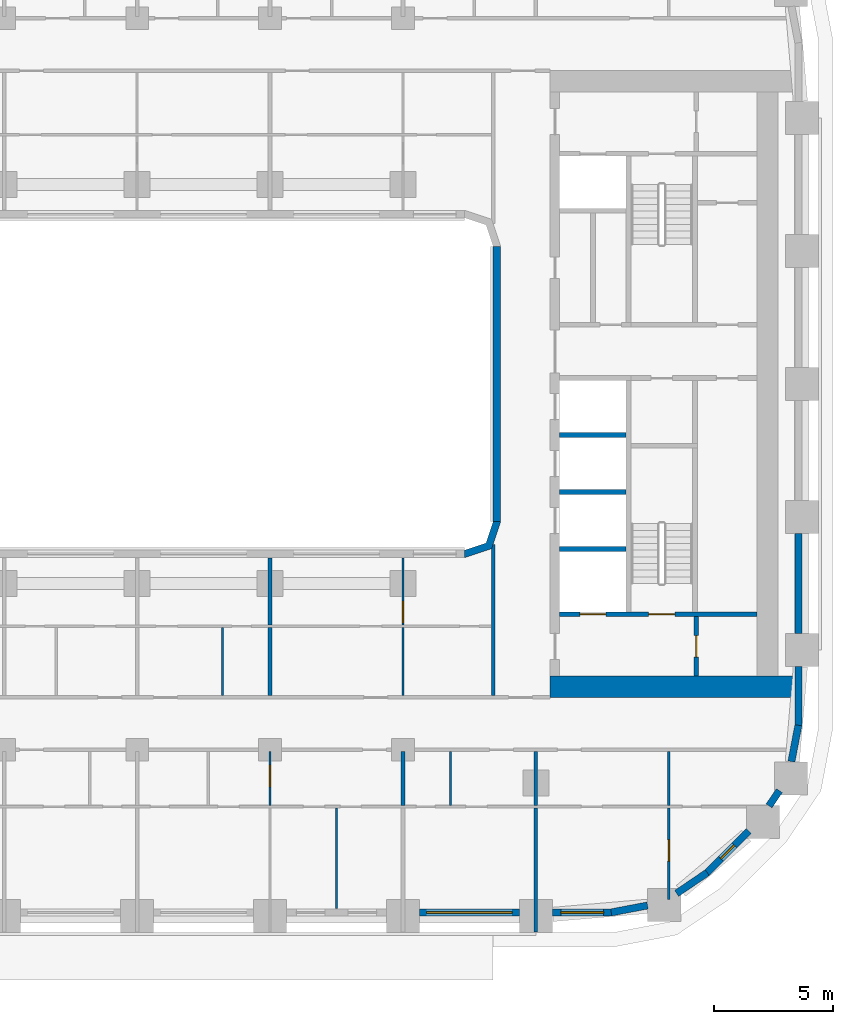
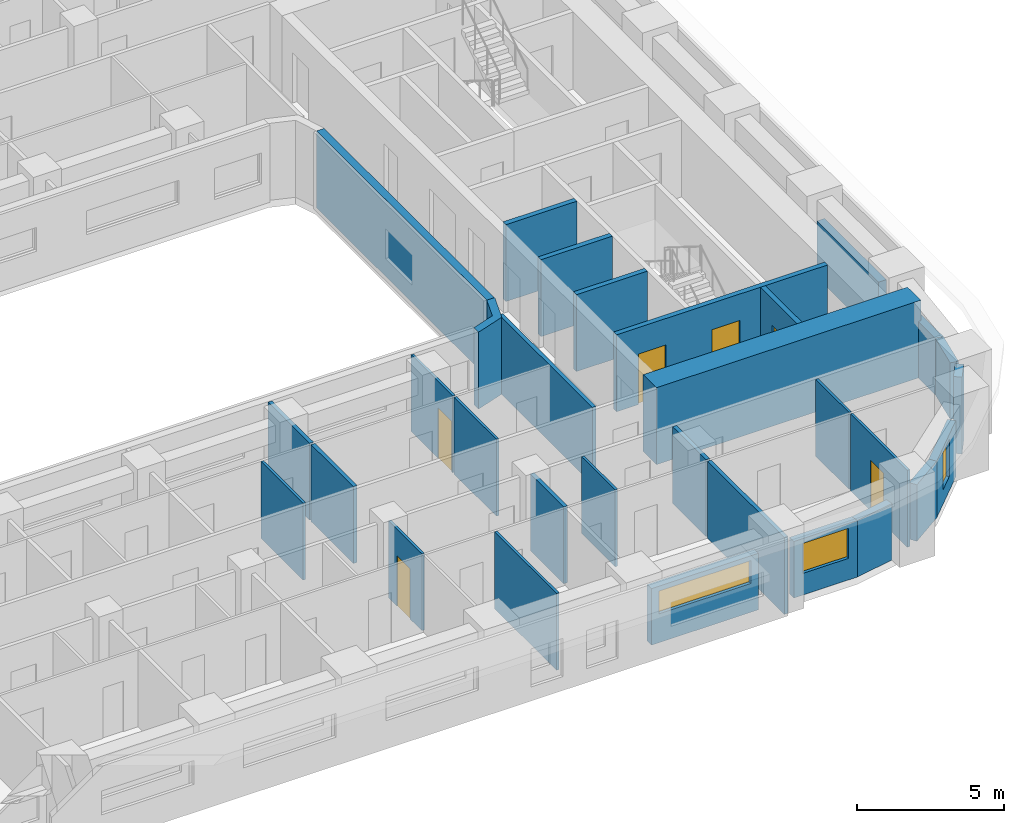
# One storey, part 6 of 22: 31 walls, 6 doors, 3 windows, 9 openings.
"""IFC4 building model written with IfcOpenShell, lengths in metres."""

from ifc_helpers import new_model, si_unit, direction, frame, frame_2d, origin, place, context, subcontext, project, spatial, polyline, rectangle, outline, extrude, material, layer, layer_set, type_object, element, fill, save


model = new_model("IFC4")

# Units and contexts
model_context = context("Model", 3, precision=1e-05, world=origin(), true_north=direction((0.0, 1.0)))
body_context = subcontext(model_context, "Body", "Model", "MODEL_VIEW")
ifc_project = project(units=[si_unit("LENGTHUNIT", "METRE"), si_unit("AREAUNIT", "SQUARE_METRE"), si_unit("VOLUMEUNIT", "CUBIC_METRE"), si_unit("PLANEANGLEUNIT", "RADIAN"), si_unit("MASSUNIT", "GRAM", prefix="KILO")], contexts=[model_context])

# Site, building, storey
site_placement = place(None, origin())
site = spatial("IfcSite", under=ifc_project, at=site_placement, CompositionType="ELEMENT")
building_placement = place(site_placement, origin())
building = spatial("IfcBuilding", under=site, at=building_placement, Name="Kiln Ring Residences", CompositionType="ELEMENT")
storey_placement = place(building_placement, frame((0.0, 0.0, 65.5)))
storey = spatial("IfcBuildingStorey", under=building, at=storey_placement, Name="L16", CompositionType="ELEMENT", Elevation=65.5)

# Wall, opening, door
ifc_material_1 = material(Name="Gypsum board on steel studs", Category="steel")
ifc_layer_1 = layer(ifc_material_1, 0.199951171875)
ifc_layer_set_1 = layer_set([ifc_layer_1], Name="CORE-PARTITION-200")
wall_type_1 = type_object("IfcWallType", Name="CORE-PARTITION-200", PredefinedType="PARTITIONING", material=ifc_layer_set_1)
wall_1_placement = place(storey_placement, frame((23.550048828125, -12.300048828125, 0.0), z_axis=(0.0, 0.0, 1.0), x_axis=(0.0, 1.0, 0.0)))
wall_1 = element("IfcWall", 1, at=wall_1_placement, inside=storey, type_object=wall_type_1, Name="Core partition east L16 5", PredefinedType="PARTITIONING", context=body_context, shape_type="SweptSolid", body=[
    extrude(rectangle(XDim=2.5, YDim=0.199951171875, at=frame_2d((1.25, 0.0))), origin(), (0.0, 0.0, 1.0), 3.199951171875),
])
opening_1_placement = place(wall_1_placement, frame((0.800048828125, 0.0, 0.0)))
opening_1 = element("IfcOpeningElement", 2, at=opening_1_placement, cuts=wall_1, Name="Opening L16-CE11", PredefinedType="OPENING", context=body_context, shape_type="SweptSolid", body=[
    extrude(rectangle(XDim=0.89990234375, YDim=2.10009765625, at=frame_2d((0.449951171875, 1.050048828125))), frame((0.0, 0.10986328125, 0.0), z_axis=(0.0, -1.0, 0.0), x_axis=(1.0, 0.0, 0.0)), (0.0, 0.0, 1.0), 0.219970703125),
])
ifc_material_2 = material(Name="Steel door leaf", Category="steel")
door_type_1 = type_object("IfcDoorType", Name="CORE-DOOR-ROOM", OperationType="SINGLE_SWING_LEFT", PredefinedType="DOOR", material=ifc_material_2)
door_1_placement = place(opening_1_placement, origin())
door_1 = element("IfcDoor", 3, at=door_1_placement, inside=storey, type_object=door_type_1, Name="Store L16-CE11", OperationType="SINGLE_SWING_RIGHT", OverallHeight=2.10009765625, OverallWidth=0.89990234375, PredefinedType="DOOR", context=body_context, shape_type="SweptSolid", body=[
    extrude(rectangle(XDim=0.89990234375, YDim=2.10009765625, at=frame_2d((0.449951171875, 1.050048828125))), frame((0.0, 0.02490234375, 0.0), z_axis=(0.0, -1.0, 0.0), x_axis=(1.0, 0.0, 0.0)), (0.0, 0.0, 1.0), 0.050048828125),
])
fill(opening_1, door_1)

# Walls
ifc_material_3 = material(Name="Gypsum shaft wall system")
ifc_layer_2 = layer(ifc_material_3, 0.199951171875)
ifc_layer_set_2 = layer_set([ifc_layer_2], Name="CORE-SHAFT-WALL-200")
wall_type_2 = type_object("IfcWallType", Name="CORE-SHAFT-WALL-200", PredefinedType="PARTITIONING", material=ifc_layer_set_2)
for number, where, z_axis, x_axis, name in (
    (4, (17.800048828125, -6.949951171875, 0.0), (0.0, 0.0, 1.0), (1.0, 0.0, 0.0), "Core partition east L16 7"),
    (5, (17.800048828125, -4.550048828125, 0.0), (0.0, 0.0, 1.0), (1.0, 0.0, 0.0), "Core partition east L16 8"),
    (6, (17.800048828125, -2.14990234375, 0.0), (0.0, 0.0, 1.0), (1.0, 0.0, 0.0), "Core partition east L16 9"),
):
    element("IfcWall", number, at=place(storey_placement, frame(where, z_axis=z_axis, x_axis=x_axis)), inside=storey, type_object=wall_type_2, Name=name, PredefinedType="PARTITIONING", context=body_context, shape_type="SweptSolid", body=[
        extrude(rectangle(XDim=2.800048828125, YDim=0.199951171875, at=frame_2d((1.39990234375, 0.0))), origin(), (0.0, 0.0, 1.0), 3.199951171875),
    ])

# Wall, openings, doors
ifc_material_4 = material(Name="Concrete C40/50", Category="concrete")
ifc_layer_3 = layer(ifc_material_4, 0.199951171875)
ifc_layer_set_3 = layer_set([ifc_layer_3], Name="CORE-WALL-RC200")
wall_type_3 = type_object("IfcWallType", Name="CORE-WALL-RC200", PredefinedType="SHEAR", material=ifc_layer_set_3)
wall_2_placement = place(storey_placement, frame((17.800048828125, -9.699951171875, 0.0), z_axis=(0.0, 0.0, 1.0), x_axis=(1.0, 0.0, 0.0)))
wall_2 = element("IfcWall", 7, at=wall_2_placement, inside=storey, type_object=wall_type_3, Name="Core wall east L16 8", PredefinedType="SHEAR", context=body_context, shape_type="SweptSolid", body=[
    extrude(rectangle(XDim=8.300048828125, YDim=0.199951171875, at=frame_2d((4.14990234375, 0.0))), origin(), (0.0, 0.0, 1.0), 3.199951171875),
])
opening_2_placement = place(wall_2_placement, frame((0.85009765625, 0.0, 0.0)))
opening_2 = element("IfcOpeningElement", 8, at=opening_2_placement, cuts=wall_2, Name="Opening L16-CE01", PredefinedType="OPENING", context=body_context, shape_type="SweptSolid", body=[
    extrude(rectangle(XDim=1.10009765625, YDim=2.10009765625, at=frame_2d((0.550048828125, 1.050048828125))), frame((0.0, 0.10986328125, 0.0), z_axis=(0.0, -1.0, 0.0), x_axis=(1.0, 0.0, 0.0)), (0.0, 0.0, 1.0), 0.219970703125),
])
opening_3_placement = place(wall_2_placement, frame((3.75, 0.0, 0.0)))
opening_3 = element("IfcOpeningElement", 9, at=opening_3_placement, cuts=wall_2, Name="Opening L16-CE13", PredefinedType="OPENING", context=body_context, shape_type="SweptSolid", body=[
    extrude(rectangle(XDim=1.10009765625, YDim=2.10009765625, at=frame_2d((0.550048828125, 1.050048828125))), frame((0.0, 0.10986328125, 0.0), z_axis=(0.0, -1.0, 0.0), x_axis=(1.0, 0.0, 0.0)), (0.0, 0.0, 1.0), 0.219970703125),
])
ifc_material_5 = material(Name="Steel door leaf", Category="steel")
door_type_2 = type_object("IfcDoorType", Name="CORE-DOOR-LD", OperationType="DOUBLE_DOOR_SLIDING", PredefinedType="DOOR", material=ifc_material_5)
door_2_placement = place(opening_2_placement, origin())
door_2 = element("IfcDoor", 10, at=door_2_placement, inside=storey, type_object=door_type_2, Name="LD E-SV L16-CE01", OperationType="DOUBLE_DOOR_SLIDING", OverallHeight=2.10009765625, OverallWidth=1.10009765625, PredefinedType="DOOR", context=body_context, shape_type="SweptSolid", body=[
    extrude(rectangle(XDim=1.10009765625, YDim=2.10009765625, at=frame_2d((0.550048828125, 1.050048828125))), frame((0.0, 0.02490234375, 0.0), z_axis=(0.0, -1.0, 0.0), x_axis=(1.0, 0.0, 0.0)), (0.0, 0.0, 1.0), 0.050048828125),
])
fill(opening_2, door_2)
ifc_material_6 = material(Name="Steel door leaf", Category="steel")
door_type_3 = type_object("IfcDoorType", Name="CORE-DOOR-STAIR", OperationType="SINGLE_SWING_LEFT", PredefinedType="DOOR", material=ifc_material_6)
door_3_placement = place(opening_3_placement, origin())
door_3 = element("IfcDoor", 11, at=door_3_placement, inside=storey, type_object=door_type_3, Name="Stair E-STS L16-CE13", OperationType="SINGLE_SWING_LEFT", OverallHeight=2.10009765625, OverallWidth=1.10009765625, PredefinedType="DOOR", context=body_context, shape_type="SweptSolid", body=[
    extrude(rectangle(XDim=1.10009765625, YDim=2.10009765625, at=frame_2d((0.550048828125, 1.050048828125))), frame((0.0, 0.02490234375, 0.0), z_axis=(0.0, -1.0, 0.0), x_axis=(1.0, 0.0, 0.0)), (0.0, 0.0, 1.0), 0.050048828125),
])
fill(opening_3, door_3)

# Wall
ifc_material_7 = material(Name="Concrete C60/75", Category="concrete")
ifc_layer_4 = layer(ifc_material_7, 0.89990234375)
ifc_layer_set_4 = layer_set([ifc_layer_4], Name="CORE-WALL-RC900")
wall_type_4 = type_object("IfcWallType", Name="CORE-WALL-RC900", PredefinedType="SHEAR", material=ifc_layer_set_4)
wall_3_placement = place(storey_placement, frame((17.39990234375, -12.75, 0.0), z_axis=(0.0, 0.0, 1.0), x_axis=(1.0, 0.0, 0.0)))
element("IfcWall", 12, at=wall_3_placement, inside=storey, type_object=wall_type_4, Name="Core wall east L16 5", PredefinedType="SHEAR", context=body_context, shape_type="SweptSolid", body=[
    extrude(rectangle(XDim=10.400146484375, YDim=0.89990234375, at=frame_2d((5.2001953125, 0.0))), origin(), (0.0, 0.0, 1.0), 3.199951171875),
])

# Wall, opening, window
ifc_material_8 = material(Name="Brick masonry, dark clay brick", Category="masonry")
ifc_layer_5 = layer(ifc_material_8, 0.300048828125)
ifc_layer_set_5 = layer_set([ifc_layer_5], Name="EW-300 BRICK WALL")
wall_type_5 = type_object("IfcWallType", Name="EW-300 BRICK WALL", PredefinedType="SOLIDWALL", material=ifc_layer_set_5)
wall_4_placement = place(storey_placement, frame((11.89990234375, -22.25, 0.0), z_axis=(0.0, 0.0, 1.0), x_axis=(1.0, 0.0, 0.0)))
wall_4 = element("IfcWall", 13, at=wall_4_placement, inside=storey, type_object=wall_type_5, Name="Facade wall L16 10", PredefinedType="SOLIDWALL", context=body_context, shape_type="SweptSolid", body=[
    extrude(rectangle(XDim=4.2001953125, YDim=0.300048828125, at=frame_2d((2.10009765625, 0.0))), origin(), (0.0, 0.0, 1.0), 2.35009765625),
])
opening_4_placement = place(wall_4_placement, frame((0.300048828125, 0.0, 1.199951171875)))
opening_4 = element("IfcOpeningElement", 14, at=opening_4_placement, cuts=wall_4, Name="Opening W4", PredefinedType="OPENING", context=body_context, shape_type="SweptSolid", body=[
    extrude(rectangle(XDim=3.60009765625, YDim=0.949951171875, at=frame_2d((1.800048828125, 0.47509765625))), frame((0.0, 0.159912109375, 0.0), z_axis=(0.0, -1.0, 0.0), x_axis=(1.0, 0.0, 0.0)), (0.0, 0.0, 1.0), 0.320068359375),
])
ifc_material_9 = material(Name="Aluminium frame with double glazing", Category="aluminium")
window_type_1 = type_object("IfcWindowType", Name="WINDOW 3600 x 950", PartitioningType="SINGLE_PANEL", PredefinedType="WINDOW", material=ifc_material_9)
window_1_placement = place(opening_4_placement, origin())
window_1 = element("IfcWindow", 15, at=window_1_placement, inside=storey, type_object=window_type_1, Name="Window L16 9", OverallHeight=0.949951171875, OverallWidth=3.60009765625, PartitioningType="SINGLE_PANEL", PredefinedType="WINDOW", context=body_context, shape_type="SweptSolid", body=[
    extrude(rectangle(XDim=3.60009765625, YDim=0.949951171875, at=frame_2d((1.800048828125, 0.47509765625))), frame((0.0, 0.030029296875, 0.0), z_axis=(0.0, -1.0, 0.0), x_axis=(1.0, 0.0, 0.0)), (0.0, 0.0, 1.0), 0.06005859375),
])
fill(opening_4, window_1)

wall_5_placement = place(storey_placement, frame((17.5, -22.25, 0.0), z_axis=(0.0, 0.0, 1.0), x_axis=(1.0, 0.0, 0.0)))
wall_5 = element("IfcWall", 16, at=wall_5_placement, inside=storey, type_object=wall_type_5, Name="Facade wall L16 11", PredefinedType="SOLIDWALL", context=body_context, shape_type="SweptSolid", body=[
    extrude(rectangle(XDim=2.5, YDim=0.300048828125, at=frame_2d((1.25, 0.0))), origin(), (0.0, 0.0, 1.0), 2.35009765625),
])
opening_5_placement = place(wall_5_placement, frame((0.35009765625, 0.0, 0.89990234375)))
opening_5 = element("IfcOpeningElement", 17, at=opening_5_placement, cuts=wall_5, Name="Opening W2", PredefinedType="OPENING", context=body_context, shape_type="SweptSolid", body=[
    extrude(rectangle(XDim=1.800048828125, YDim=1.25, at=frame_2d((0.89990234375, 0.625))), frame((0.0, 0.159912109375, 0.0), z_axis=(0.0, -1.0, 0.0), x_axis=(1.0, 0.0, 0.0)), (0.0, 0.0, 1.0), 0.320068359375),
])
ifc_material_10 = material(Name="Aluminium frame with double glazing", Category="aluminium")
window_type_2 = type_object("IfcWindowType", Name="WINDOW 1800 x 1250", PartitioningType="SINGLE_PANEL", PredefinedType="WINDOW", material=ifc_material_10)
window_2_placement = place(opening_5_placement, origin())
window_2 = element("IfcWindow", 18, at=window_2_placement, inside=storey, type_object=window_type_2, Name="Window L16 10", OverallHeight=1.25, OverallWidth=1.800048828125, PartitioningType="SINGLE_PANEL", PredefinedType="WINDOW", context=body_context, shape_type="SweptSolid", body=[
    extrude(rectangle(XDim=1.800048828125, YDim=1.25, at=frame_2d((0.89990234375, 0.625))), frame((0.0, 0.030029296875, 0.0), z_axis=(0.0, -1.0, 0.0), x_axis=(1.0, 0.0, 0.0)), (0.0, 0.0, 1.0), 0.06005859375),
])
fill(opening_5, window_2)

# Walls
wall_6_placement = place(storey_placement, frame((19.971923828125, -22.252685546875, 0.0), z_axis=(0.0, 0.0, 1.0), x_axis=(0.982297345734, 0.187328386968, 0.0)))
element("IfcWall", 19, at=wall_6_placement, inside=storey, type_object=wall_type_5, Name="Facade wall L16 12", PredefinedType="SOLIDWALL", context=body_context, shape_type="SweptSolid", body=[
    extrude(rectangle(XDim=1.55615234375, YDim=0.300048828125, at=frame_2d((0.778076171875, 0.0))), origin(), (0.0, 0.0, 1.0), 2.35009765625),
])
wall_7_placement = place(storey_placement, frame((22.725830078125, -21.45361328125, 0.0), z_axis=(0.0, 0.0, 1.0), x_axis=(0.827019875346, 0.562172683241, 0.0)))
element("IfcWall", 20, at=wall_7_placement, inside=storey, type_object=wall_type_5, Name="Facade wall L16 13", PredefinedType="SOLIDWALL", context=body_context, shape_type="SweptSolid", body=[
    extrude(rectangle(XDim=1.555908203125, YDim=0.300048828125, at=frame_2d((0.77783203125, 0.0))), origin(), (0.0, 0.0, 1.0), 2.35009765625),
])

# Wall, opening, window
wall_8_placement = place(storey_placement, frame((23.990966796875, -20.596923828125, 0.0), z_axis=(0.0, 0.0, 1.0), x_axis=(0.707106781187, 0.707106781187, 0.0)))
wall_8 = element("IfcWall", 21, at=wall_8_placement, inside=storey, type_object=wall_type_5, Name="Facade wall L16 14", PredefinedType="SOLIDWALL", context=body_context, shape_type="SweptSolid", body=[
    extrude(rectangle(XDim=2.5, YDim=0.300048828125, at=frame_2d((1.25, 0.0))), origin(), (0.0, 0.0, 1.0), 2.35009765625),
])
opening_6_placement = place(wall_8_placement, frame((0.85009765625, 0.0, 0.60009765625)))
opening_6 = element("IfcOpeningElement", 22, at=opening_6_placement, cuts=wall_8, Name="Opening W5", PredefinedType="OPENING", context=body_context, shape_type="SweptSolid", body=[
    extrude(rectangle(XDim=0.800048828125, YDim=1.550048828125, at=frame_2d((0.39990234375, 0.77490234375))), frame((0.0, 0.159912109375, 0.0), z_axis=(0.0, -1.0, 0.0), x_axis=(1.0, 0.0, 0.0)), (0.0, 0.0, 1.0), 0.320068359375),
])
ifc_material_11 = material(Name="Aluminium frame with double glazing", Category="aluminium")
window_type_3 = type_object("IfcWindowType", Name="WINDOW 800 x 1550", PartitioningType="SINGLE_PANEL", PredefinedType="WINDOW", material=ifc_material_11)
window_3_placement = place(opening_6_placement, origin())
window_3 = element("IfcWindow", 23, at=window_3_placement, inside=storey, type_object=window_type_3, Name="Window L16 11", OverallHeight=1.550048828125, OverallWidth=0.800048828125, PartitioningType="SINGLE_PANEL", PredefinedType="WINDOW", context=body_context, shape_type="SweptSolid", body=[
    extrude(rectangle(XDim=0.800048828125, YDim=1.550048828125, at=frame_2d((0.39990234375, 0.77490234375))), frame((0.0, 0.030029296875, 0.0), z_axis=(0.0, -1.0, 0.0), x_axis=(1.0, 0.0, 0.0)), (0.0, 0.0, 1.0), 0.06005859375),
])
fill(opening_6, window_3)

# Walls
wall_9_placement = place(storey_placement, frame((26.61669921875, -17.7685546875, 0.0), z_axis=(0.0, 0.0, 1.0), x_axis=(0.562000651531, 0.827136788977, 0.0)))
element("IfcWall", 24, at=wall_9_placement, inside=storey, type_object=wall_type_5, Name="Facade wall L16 15", PredefinedType="SOLIDWALL", context=body_context, shape_type="SweptSolid", body=[
    extrude(rectangle(XDim=0.777099609375, YDim=0.300048828125, at=frame_2d((0.388671875, 0.0))), origin(), (0.0, 0.0, 1.0), 3.199951171875),
])
wall_10_placement = place(storey_placement, frame((27.56103515625, -15.900390625, 0.0), z_axis=(0.0, 0.0, 1.0), x_axis=(0.187328386968, 0.982297345734, 0.0)))
element("IfcWall", 25, at=wall_10_placement, inside=storey, type_object=wall_type_5, Name="Facade wall L16 16", PredefinedType="SOLIDWALL", context=body_context, shape_type="SweptSolid", body=[
    extrude(rectangle(XDim=1.55615234375, YDim=0.300048828125, at=frame_2d((0.778076171875, 0.0))), origin(), (0.0, 0.0, 1.0), 2.35009765625),
])
wall_11_placement = place(storey_placement, frame((27.85009765625, -14.39990234375, 0.0), z_axis=(0.0, 0.0, 1.0), x_axis=(0.0, 1.0, 0.0)))
element("IfcWall", 26, at=wall_11_placement, inside=storey, type_object=wall_type_5, Name="Facade wall L16 17", PredefinedType="SOLIDWALL", context=body_context, shape_type="SweptSolid", body=[
    extrude(rectangle(XDim=2.5, YDim=0.300048828125, at=frame_2d((1.25, 0.0))), origin(), (0.0, 0.0, 1.0), 2.35009765625),
])
wall_12_placement = place(storey_placement, frame((27.85009765625, -10.5, 0.0), z_axis=(0.0, 0.0, 1.0), x_axis=(0.0, 1.0, 0.0)))
element("IfcWall", 27, at=wall_12_placement, inside=storey, type_object=wall_type_5, Name="Facade wall L16 18", PredefinedType="SOLIDWALL", context=body_context, shape_type="SweptSolid", body=[
    extrude(rectangle(XDim=4.199951171875, YDim=0.300048828125, at=frame_2d((2.10009765625, 0.0))), origin(), (0.0, 0.0, 1.0), 2.35009765625),
])
wall_13_placement = place(storey_placement, frame((15.14990234375, 5.800048828125, 0.0), z_axis=(0.0, 0.0, 1.0), x_axis=(0.0, -1.0, 0.0)))
element("IfcWall", 28, at=wall_13_placement, inside=storey, type_object=wall_type_5, Name="Facade wall L16 51", PredefinedType="SOLIDWALL", context=body_context, shape_type="SweptSolid", body=[
    extrude(rectangle(XDim=11.60009765625, YDim=0.300048828125, at=frame_2d((5.800048828125, 0.0))), origin(), (0.0, 0.0, 1.0), 3.199951171875),
])
wall_14_placement = place(storey_placement, origin())
element("IfcWall", 29, at=wall_14_placement, inside=storey, type_object=wall_type_5, Name="Corner wall L16 3", PredefinedType="SOLIDWALL", context=body_context, shape_type="SweptSolid", body=[
    extrude(outline(polyline([(14.937255859375, -6.937255859375), (15.300048828125, -5.8486328125), (15.300048828125, -5.800048828125), (15.0, -5.800048828125), (14.699951171875, -6.699951171875), (13.800048828125, -7.0), (13.800048828125, -7.300048828125), (13.8486328125, -7.300048828125), (14.937255859375, -6.937255859375)])), origin(), (0.0, 0.0, 1.0), 3.199951171875),
])
ifc_material_12 = material(Name="Gypsum board on steel studs", Category="steel")
ifc_layer_6 = layer(ifc_material_12, 0.10009765625)
ifc_layer_set_6 = layer_set([ifc_layer_6], Name="PARTITION-100")
wall_type_6 = type_object("IfcWallType", Name="PARTITION-100", PredefinedType="PARTITIONING", material=ifc_layer_set_6)
wall_15_placement = place(storey_placement, frame((3.60009765625, -13.125, 0.0), z_axis=(0.0, 0.0, 1.0), x_axis=(0.0, 1.0, 0.0)))
element("IfcWall", 30, at=wall_15_placement, inside=storey, type_object=wall_type_6, Name="Partition 051", PredefinedType="PARTITIONING", context=body_context, shape_type="SweptSolid", body=[
    extrude(rectangle(XDim=2.875, YDim=0.10009765625, at=frame_2d((1.4375, 0.0))), origin(), (0.0, 0.0, 1.0), 3.199951171875),
])

# Wall, opening, door
wall_16_placement = place(storey_placement, frame((5.60009765625, -17.75, 0.0), z_axis=(0.0, 0.0, 1.0), x_axis=(0.0, 1.0, 0.0)))
wall_16 = element("IfcWall", 31, at=wall_16_placement, inside=storey, type_object=wall_type_6, Name="Partition 053", PredefinedType="PARTITIONING", context=body_context, shape_type="SweptSolid", body=[
    extrude(rectangle(XDim=2.27490234375, YDim=0.10009765625, at=frame_2d((1.137451171875, 0.0))), origin(), (0.0, 0.0, 1.0), 3.199951171875),
])
opening_7_placement = place(wall_16_placement, frame((0.799072265625, 0.0, 0.0)))
opening_7 = element("IfcOpeningElement", 32, at=opening_7_placement, cuts=wall_16, Name="Opening L16-D071", PredefinedType="OPENING", context=body_context, shape_type="SweptSolid", body=[
    extrude(rectangle(XDim=0.89990234375, YDim=2.10009765625, at=frame_2d((0.449951171875, 1.050048828125))), frame((0.0, 0.06005859375, 0.0), z_axis=(0.0, -1.0, 0.0), x_axis=(1.0, 0.0, 0.0)), (0.0, 0.0, 1.0), 0.1201171875),
])
ifc_material_13 = material(Name="Timber door leaf", Category="wood")
door_type_4 = type_object("IfcDoorType", Name="FLAT-DOOR-900-PL", OperationType="SINGLE_SWING_LEFT", PredefinedType="DOOR", material=ifc_material_13)
door_4_placement = place(opening_7_placement, origin())
door_4 = element("IfcDoor", 33, at=door_4_placement, inside=storey, type_object=door_type_4, Name="Door L16-D071", OperationType="SINGLE_SWING_LEFT", OverallHeight=2.10009765625, OverallWidth=0.89990234375, PredefinedType="DOOR", context=body_context, shape_type="SweptSolid", body=[
    extrude(rectangle(XDim=0.89990234375, YDim=2.10009765625, at=frame_2d((0.449951171875, 1.050048828125))), frame((0.0, 0.02490234375, 0.0), z_axis=(0.0, -1.0, 0.0), x_axis=(1.0, 0.0, 0.0)), (0.0, 0.0, 1.0), 0.050048828125),
])
fill(opening_7, door_4)

# Walls
wall_17_placement = place(storey_placement, frame((8.39990234375, -22.080078125, 0.0), z_axis=(0.0, 0.0, 1.0), x_axis=(0.0, 1.0, 0.0)))
element("IfcWall", 34, at=wall_17_placement, inside=storey, type_object=wall_type_6, Name="Partition 061", PredefinedType="PARTITIONING", context=body_context, shape_type="SweptSolid", body=[
    extrude(rectangle(XDim=4.22998046875, YDim=0.10009765625, at=frame_2d((2.114990234375, 0.0))), origin(), (0.0, 0.0, 1.0), 3.199951171875),
])
wall_18_placement = place(storey_placement, frame((11.199951171875, -13.125, 0.0), z_axis=(0.0, 0.0, 1.0), x_axis=(0.0, 1.0, 0.0)))
element("IfcWall", 35, at=wall_18_placement, inside=storey, type_object=wall_type_6, Name="Partition 062", PredefinedType="PARTITIONING", context=body_context, shape_type="SweptSolid", body=[
    extrude(rectangle(XDim=2.875, YDim=0.10009765625, at=frame_2d((1.4375, 0.0))), origin(), (0.0, 0.0, 1.0), 3.199951171875),
])

# Wall, opening, door
wall_19_placement = place(storey_placement, frame((11.199951171875, -10.14990234375, 0.0), z_axis=(0.0, 0.0, 1.0), x_axis=(0.0, 1.0, 0.0)))
wall_19 = element("IfcWall", 36, at=wall_19_placement, inside=storey, type_object=wall_type_6, Name="Partition 063", PredefinedType="PARTITIONING", context=body_context, shape_type="SweptSolid", body=[
    extrude(rectangle(XDim=2.829833984375, YDim=0.10009765625, at=frame_2d((1.4150390625, 0.0))), origin(), (0.0, 0.0, 1.0), 3.199951171875),
])
opening_8_placement = place(wall_19_placement, frame((0.10009765625, 0.0, 0.0)))
opening_8 = element("IfcOpeningElement", 37, at=opening_8_placement, cuts=wall_19, Name="Opening L16-D056", PredefinedType="OPENING", context=body_context, shape_type="SweptSolid", body=[
    extrude(rectangle(XDim=0.89990234375, YDim=2.10009765625, at=frame_2d((0.449951171875, 1.050048828125))), frame((0.0, 0.06005859375, 0.0), z_axis=(0.0, -1.0, 0.0), x_axis=(1.0, 0.0, 0.0)), (0.0, 0.0, 1.0), 0.1201171875),
])
door_5_placement = place(opening_8_placement, origin())
door_5 = element("IfcDoor", 38, at=door_5_placement, inside=storey, type_object=door_type_4, Name="Door L16-D056", OperationType="SINGLE_SWING_LEFT", OverallHeight=2.10009765625, OverallWidth=0.89990234375, PredefinedType="DOOR", context=body_context, shape_type="SweptSolid", body=[
    extrude(rectangle(XDim=0.89990234375, YDim=2.10009765625, at=frame_2d((0.449951171875, 1.050048828125))), frame((0.0, 0.02490234375, 0.0), z_axis=(0.0, -1.0, 0.0), x_axis=(1.0, 0.0, 0.0)), (0.0, 0.0, 1.0), 0.050048828125),
])
fill(opening_8, door_5)

# Wall
wall_20_placement = place(storey_placement, frame((13.199951171875, -17.75, 0.0), z_axis=(0.0, 0.0, 1.0), x_axis=(0.0, 1.0, 0.0)))
element("IfcWall", 39, at=wall_20_placement, inside=storey, type_object=wall_type_6, Name="Partition 070", PredefinedType="PARTITIONING", context=body_context, shape_type="SweptSolid", body=[
    extrude(rectangle(XDim=2.27490234375, YDim=0.10009765625, at=frame_2d((1.137451171875, 0.0))), origin(), (0.0, 0.0, 1.0), 3.199951171875),
])

# Wall, opening, door
wall_21_placement = place(storey_placement, frame((22.39990234375, -21.719970703125, 0.0), z_axis=(0.0, 0.0, 1.0), x_axis=(0.0, 1.0, 0.0)))
wall_21 = element("IfcWall", 40, at=wall_21_placement, inside=storey, type_object=wall_type_6, Name="Partition 078", PredefinedType="PARTITIONING", context=body_context, shape_type="SweptSolid", body=[
    extrude(rectangle(XDim=3.869873046875, YDim=0.10009765625, at=frame_2d((1.93505859375, 0.0))), origin(), (0.0, 0.0, 1.0), 3.199951171875),
])
opening_9_placement = place(wall_21_placement, frame((1.6220703125, 0.0, 0.0)))
opening_9 = element("IfcOpeningElement", 41, at=opening_9_placement, cuts=wall_21, Name="Opening L16-D082", PredefinedType="OPENING", context=body_context, shape_type="SweptSolid", body=[
    extrude(rectangle(XDim=0.89990234375, YDim=2.10009765625, at=frame_2d((0.449951171875, 1.050048828125))), frame((0.0, 0.06005859375, 0.0), z_axis=(0.0, -1.0, 0.0), x_axis=(1.0, 0.0, 0.0)), (0.0, 0.0, 1.0), 0.1201171875),
])
door_6_placement = place(opening_9_placement, origin())
door_6 = element("IfcDoor", 42, at=door_6_placement, inside=storey, type_object=door_type_4, Name="Door L16-D082", OperationType="SINGLE_SWING_RIGHT", OverallHeight=2.10009765625, OverallWidth=0.89990234375, PredefinedType="DOOR", context=body_context, shape_type="SweptSolid", body=[
    extrude(rectangle(XDim=0.89990234375, YDim=2.10009765625, at=frame_2d((0.449951171875, 1.050048828125))), frame((0.0, 0.02490234375, 0.0), z_axis=(0.0, -1.0, 0.0), x_axis=(1.0, 0.0, 0.0)), (0.0, 0.0, 1.0), 0.050048828125),
])
fill(opening_9, door_6)

# Walls
wall_22_placement = place(storey_placement, frame((22.39990234375, -17.75, 0.0), z_axis=(0.0, 0.0, 1.0), x_axis=(0.0, 1.0, 0.0)))
element("IfcWall", 43, at=wall_22_placement, inside=storey, type_object=wall_type_6, Name="Partition 079", PredefinedType="PARTITIONING", context=body_context, shape_type="SweptSolid", body=[
    extrude(rectangle(XDim=2.27490234375, YDim=0.10009765625, at=frame_2d((1.137451171875, 0.0))), origin(), (0.0, 0.0, 1.0), 3.199951171875),
])
ifc_material_14 = material(Name="Brick masonry partition", Category="masonry")
ifc_layer_7 = layer(ifc_material_14, 0.14990234375)
ifc_layer_set_7 = layer_set([ifc_layer_7], Name="PARTITION-150-ei60")
wall_type_7 = type_object("IfcWallType", Name="PARTITION-150-ei60", PredefinedType="PARTITIONING", material=ifc_layer_set_7)
wall_23_placement = place(storey_placement, frame((5.60009765625, -13.125, 0.0), z_axis=(0.0, 0.0, 1.0), x_axis=(0.0, 1.0, 0.0)))
element("IfcWall", 44, at=wall_23_placement, inside=storey, type_object=wall_type_7, Name="Partition 054", PredefinedType="PARTITIONING", context=body_context, shape_type="SweptSolid", body=[
    extrude(rectangle(XDim=2.875, YDim=0.14990234375, at=frame_2d((1.4375, 0.0))), origin(), (0.0, 0.0, 1.0), 3.199951171875),
])
wall_24_placement = place(storey_placement, frame((5.60009765625, -10.14990234375, 0.0), z_axis=(0.0, 0.0, 1.0), x_axis=(0.0, 1.0, 0.0)))
element("IfcWall", 45, at=wall_24_placement, inside=storey, type_object=wall_type_7, Name="Partition 055", PredefinedType="PARTITIONING", context=body_context, shape_type="SweptSolid", body=[
    extrude(rectangle(XDim=2.829833984375, YDim=0.14990234375, at=frame_2d((1.4150390625, 0.0))), origin(), (0.0, 0.0, 1.0), 3.199951171875),
])
wall_25_placement = place(storey_placement, frame((11.199951171875, -17.75, 0.0), z_axis=(0.0, 0.0, 1.0), x_axis=(0.0, 1.0, 0.0)))
element("IfcWall", 46, at=wall_25_placement, inside=storey, type_object=wall_type_7, Name="Partition 067", PredefinedType="PARTITIONING", context=body_context, shape_type="SweptSolid", body=[
    extrude(rectangle(XDim=2.27490234375, YDim=0.14990234375, at=frame_2d((1.137451171875, 0.0))), origin(), (0.0, 0.0, 1.0), 3.199951171875),
])
wall_26_placement = place(storey_placement, frame((15.0, -13.125, 0.0), z_axis=(0.0, 0.0, 1.0), x_axis=(0.0, 1.0, 0.0)))
element("IfcWall", 47, at=wall_26_placement, inside=storey, type_object=wall_type_7, Name="Partition 072", PredefinedType="PARTITIONING", context=body_context, shape_type="SweptSolid", body=[
    extrude(rectangle(XDim=6.356201171875, YDim=0.14990234375, at=frame_2d((3.17822265625, 0.0))), origin(), (0.0, 0.0, 1.0), 3.199951171875),
])
wall_27_placement = place(storey_placement, frame((16.800048828125, -23.080078125, 0.0), z_axis=(0.0, 0.0, 1.0), x_axis=(0.0, 1.0, 0.0)))
element("IfcWall", 48, at=wall_27_placement, inside=storey, type_object=wall_type_7, Name="Partition 074", PredefinedType="PARTITIONING", context=body_context, shape_type="SweptSolid", body=[
    extrude(rectangle(XDim=5.22998046875, YDim=0.14990234375, at=frame_2d((2.614990234375, 0.0))), origin(), (0.0, 0.0, 1.0), 3.199951171875),
])
wall_28_placement = place(storey_placement, frame((16.800048828125, -17.75, 0.0), z_axis=(0.0, 0.0, 1.0), x_axis=(0.0, 1.0, 0.0)))
element("IfcWall", 49, at=wall_28_placement, inside=storey, type_object=wall_type_7, Name="Partition 075", PredefinedType="PARTITIONING", context=body_context, shape_type="SweptSolid", body=[
    extrude(rectangle(XDim=2.27490234375, YDim=0.14990234375, at=frame_2d((1.137451171875, 0.0))), origin(), (0.0, 0.0, 1.0), 3.199951171875),
])

save(model, "model.ifc")
